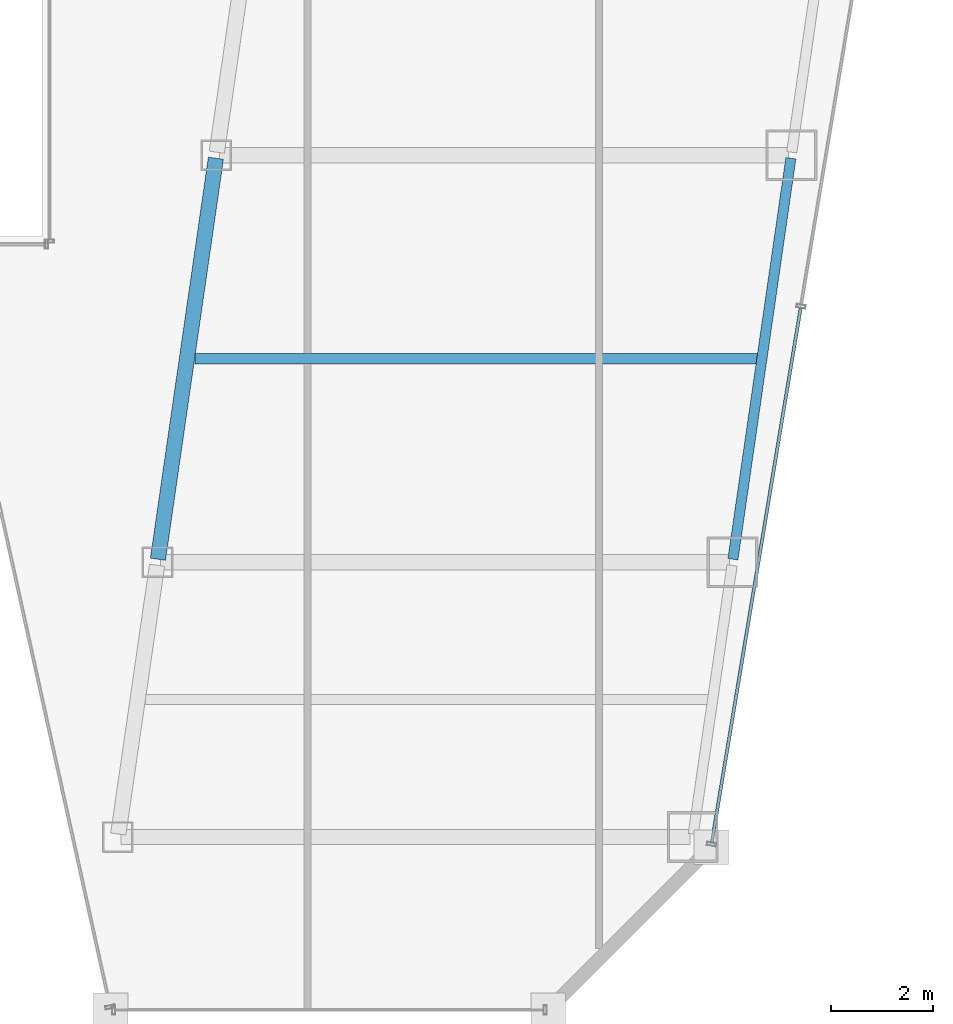
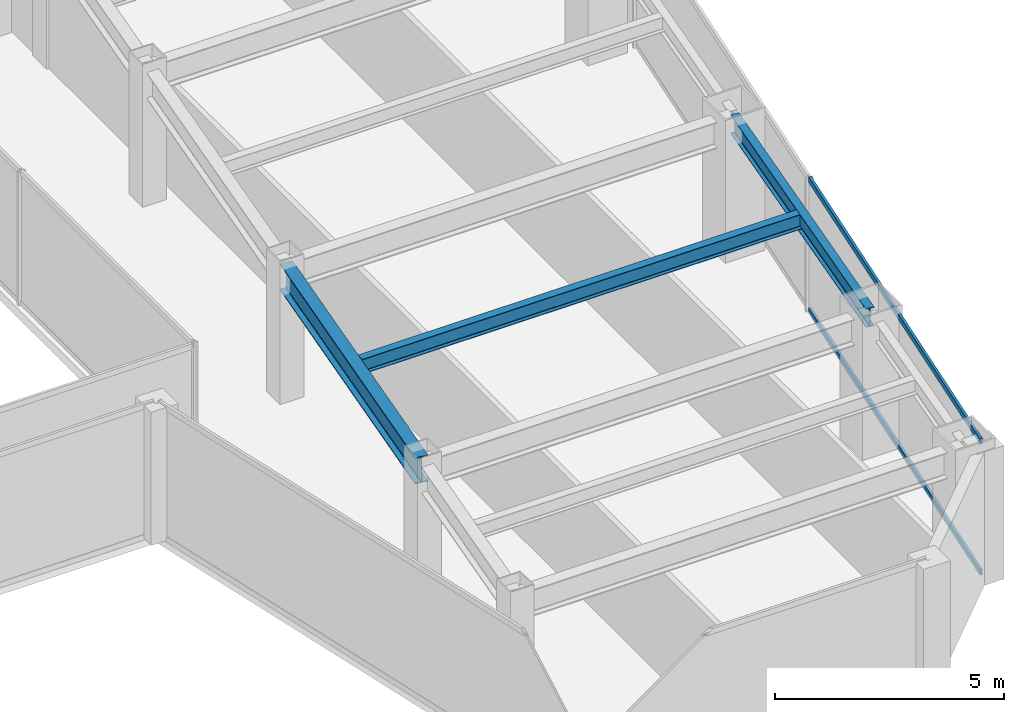
# One storey, part 16 of 38: 3 beams, 2 members, 1 element without a shape of its own.
"""IFC4 building model written with IfcOpenShell, lengths in metres."""

import ifcopenshell
import ifcopenshell.guid

model = None  # the IFC model being written
_history = None  # IfcOwnerHistory: only IFC2X3 demands one
_inside = {}  # id of a spatial element -> (the spatial element, [elements in it])
_under = {}  # id of a project, library or spatial element -> (it, [spatial elements below it])
_declared = {}  # id of a project -> (the project, [libraries it declares])
_typed = {}  # id of a type object -> (the type object, [elements of that type])
_made_of = {}  # id of a material, layer set ... -> (it, [elements and type objects made of it])


def new_model(schema):
    """Start an empty IFC model of exactly this schema.

    Asked for "IFC4X3", IfcOpenShell would pick the latest addendum, in which some entities
    have other attributes; the version numbers below select the first issue.
    IFC2X3 requires an IfcOwnerHistory on every rooted entity: one is made here for all.
    """
    global model, _history
    if schema == "IFC4X3":
        model = ifcopenshell.file(schema_version=(4, 3, 0, 0))
    else:
        model = ifcopenshell.file(schema=schema)
    _inside.clear()
    _under.clear()
    _declared.clear()
    _typed.clear()
    _made_of.clear()
    _history = None
    if model.schema == "IFC2X3":
        org = make("IfcOrganization", Name="unknown")
        user = make(
            "IfcPersonAndOrganization",
            ThePerson=make("IfcPerson", FamilyName="unknown"),
            TheOrganization=org,
        )
        app = make(
            "IfcApplication",
            ApplicationDeveloper=org,
            Version="unknown",
            ApplicationFullName="unknown",
            ApplicationIdentifier="unknown",
        )
        _history = make(
            "IfcOwnerHistory",
            OwningUser=user,
            OwningApplication=app,
            ChangeAction="ADDED",
            CreationDate=0,
        )
    return model


def make(cls, **values):
    """One entity of the class cls with the attributes given. An attribute that is None is left unset."""
    return model.create_entity(
        cls, **{name: value for name, value in values.items() if value is not None}
    )


def rooted(cls, **values):
    """An entity with a GlobalId (a new one), such as an element, a storey or a relation."""
    return make(cls, GlobalId=ifcopenshell.guid.new(), OwnerHistory=_history, **values)


def si_unit(unit_type, name, prefix=None):
    """IfcSIUnit, for example si_unit("LENGTHUNIT", "METRE", prefix="MILLI")."""
    return make("IfcSIUnit", UnitType=unit_type, Prefix=prefix, Name=name)


def assignment(units):
    """IfcUnitAssignment: the units of a project."""
    return None if units is None else make("IfcUnitAssignment", Units=units)


def point(xyz):
    """IfcCartesianPoint."""
    return None if xyz is None else make("IfcCartesianPoint", Coordinates=xyz)


def direction(xyz):
    """IfcDirection."""
    return None if xyz is None else make("IfcDirection", DirectionRatios=xyz)


def frame(location, z_axis=None, x_axis=None):
    """IfcAxis2Placement3D, a coordinate frame: its origin and axes. An axis left out is left unset."""
    return make(
        "IfcAxis2Placement3D",
        Location=point(location),
        Axis=direction(z_axis),
        RefDirection=direction(x_axis),
    )


def frame_2d(location, x_axis=None):
    """IfcAxis2Placement2D, a coordinate frame in the plane: its origin and x axis."""
    return make(
        "IfcAxis2Placement2D", Location=point(location), RefDirection=direction(x_axis)
    )


def origin():
    """The frame at (0, 0, 0) with its axes left unset."""
    return frame((0.0, 0.0, 0.0))


def origin_2d():
    """The frame at (0, 0) in the plane with its x axis left unset."""
    return frame_2d((0.0, 0.0))


def place(relative_to, where):
    """IfcLocalPlacement: puts the frame where relative to a parent placement (None: the world)."""
    return make(
        "IfcLocalPlacement", PlacementRelTo=relative_to, RelativePlacement=where
    )


def context(
    kind, dimensions, precision=None, world=None, true_north=None, identifier=None
):
    """IfcGeometricRepresentationContext, for example the 3D "Model" context."""
    return make(
        "IfcGeometricRepresentationContext",
        ContextIdentifier=identifier,
        ContextType=kind,
        CoordinateSpaceDimension=dimensions,
        Precision=precision,
        WorldCoordinateSystem=world,
        TrueNorth=true_north,
    )


def subcontext(parent, identifier, kind, view, scale=None):
    """IfcGeometricRepresentationSubContext, for example "Body" below "Model"."""
    return make(
        "IfcGeometricRepresentationSubContext",
        ContextIdentifier=identifier,
        ContextType=kind,
        ParentContext=parent,
        TargetScale=scale,
        TargetView=view,
    )


def project(units=None, contexts=None):
    """IfcProject with its units and contexts."""
    return rooted(
        "IfcProject",
        Name="project",
        RepresentationContexts=contexts,
        UnitsInContext=assignment(units),
    )


def spatial(cls, under=None, at=None, **own):
    """A site, building, storey or space (cls), placed at a placement, below another one or the project."""
    s = rooted(cls, ObjectPlacement=at, **own)
    if under is not None:
        _under.setdefault(under.id(), (under, []))[1].append(s)
    return s


def profile(cls, at=None, kind="AREA", **sizes):
    """A parametric profile (cls). Its sizes go by their IFC names, for example OverallWidth=200.0."""
    return make(cls, ProfileType=kind, Position=at, **sizes)


def hollow_rectangle(**sizes):
    """IfcRectangleHollowProfileDef."""
    return profile("IfcRectangleHollowProfileDef", **sizes)


def i_section(**sizes):
    """IfcIShapeProfileDef."""
    return profile("IfcIShapeProfileDef", **sizes)


def extrude(swept, where, along, depth):
    """IfcExtrudedAreaSolid: the profile swept, set in the frame where, extruded along a direction by depth."""
    return make(
        "IfcExtrudedAreaSolid",
        SweptArea=swept,
        Position=where,
        ExtrudedDirection=direction(along),
        Depth=depth,
    )


def shape(context_of_items, identifier, shape_type, items):
    """IfcShapeRepresentation: the items that make up one representation, for example the "Body"."""
    return make(
        "IfcShapeRepresentation",
        ContextOfItems=context_of_items,
        RepresentationIdentifier=identifier,
        RepresentationType=shape_type,
        Items=items,
    )


def material(Name=None, Category=None):
    """IfcMaterial."""
    return make("IfcMaterial", Name=Name, Category=Category)


def material_profile(
    of_material, cross_section, Name=None, Category=None, Priority=None
):
    """IfcMaterialProfile: a cross section and its material."""
    return make(
        "IfcMaterialProfile",
        Name=Name,
        Material=of_material,
        Profile=cross_section,
        Priority=Priority,
        Category=Category,
    )


def profile_set(profiles, Name=None, composite=None):
    """IfcMaterialProfileSet."""
    return make(
        "IfcMaterialProfileSet",
        Name=Name,
        MaterialProfiles=profiles,
        CompositeProfile=composite,
    )


def made_of(thing, what):
    """Note that an element or type object is made of a material, layer set ...; save() writes the relation."""
    if what is not None:
        _made_of.setdefault(what.id(), (what, []))[1].append(thing)
    return thing


def type_object(cls, material=None, **own):
    """A type object (cls), such as IfcWallType, which elements share."""
    return made_of(rooted(cls, **own), material)


def element(
    cls,
    number,
    at=None,
    inside=None,
    cuts=None,
    type_object=None,
    material=None,
    context=None,
    identifier="Body",
    shape_type=None,
    held_by="IfcProductDefinitionShape",
    body=None,
    shapes=None,
    **own,
):
    """One element of the class cls, such as IfcWall. Its Tag is "e" and its number.

    at: its placement. inside: the storey or other place that contains it. cuts: it is an
    opening in that element (IfcRelVoidsElement). A single representation is given by context,
    identifier, shape_type and body (its items); several are given by shapes. held_by: the class
    of the entity that holds the representations. save() writes the other relations.
    """
    e = rooted(cls, Tag="e%d" % number, ObjectPlacement=at, **own)
    if body is not None:
        shapes = [shape(context, identifier, shape_type, body)]
    if shapes is not None:
        e.Representation = make(held_by, Representations=shapes)
    if inside is not None:
        _inside.setdefault(inside.id(), (inside, []))[1].append(e)
    if cuts is not None:
        rooted(
            "IfcRelVoidsElement", RelatingBuildingElement=cuts, RelatedOpeningElement=e
        )
    if type_object is not None:
        _typed.setdefault(type_object.id(), (type_object, []))[1].append(e)
    return made_of(e, material)


def aggregate(whole, parts):
    """IfcRelAggregates: a whole, such as a stair, and the parts it consists of."""
    return rooted("IfcRelAggregates", RelatingObject=whole, RelatedObjects=parts)


def save(model, path):
    """Write the relations noted so far, then the file.

    IfcRelAggregates (storeys below a building ...), IfcRelContainedInSpatialStructure (elements
    in a storey), IfcRelDefinesByType, IfcRelAssociatesMaterial and IfcRelDeclares: one each for
    every whole, place, type object, material and project.
    """
    for whole, parts in _under.values():
        aggregate(whole, parts)
    for where, things in _inside.values():
        rooted(
            "IfcRelContainedInSpatialStructure",
            RelatedElements=things,
            RelatingStructure=where,
        )
    for kind, things in _typed.values():
        rooted("IfcRelDefinesByType", RelatedObjects=things, RelatingType=kind)
    for what, things in _made_of.values():
        rooted("IfcRelAssociatesMaterial", RelatedObjects=things, RelatingMaterial=what)
    for by, libraries in _declared.values():
        rooted("IfcRelDeclares", RelatingContext=by, RelatedDefinitions=libraries)
    model.write(path)


model = new_model("IFC4")

# Units and contexts
model_context = context("Model", 3, precision=1e-05, world=origin(), true_north=direction((0.0, 1.0)))
body_context = subcontext(model_context, "Body", "Model", "MODEL_VIEW")
ifc_project = project(units=[si_unit("LENGTHUNIT", "METRE"), si_unit("AREAUNIT", "SQUARE_METRE"), si_unit("VOLUMEUNIT", "CUBIC_METRE"), si_unit("PLANEANGLEUNIT", "RADIAN"), si_unit("MASSUNIT", "GRAM", prefix="KILO")], contexts=[model_context])

# Site, building, storey
site_placement = place(None, origin())
site = spatial("IfcSite", under=ifc_project, at=site_placement, CompositionType="ELEMENT")
building_placement = place(site_placement, origin())
building = spatial("IfcBuilding", under=site, at=building_placement, Name="Saevonmaru Cultural Tower", CompositionType="ELEMENT")
storey_placement = place(building_placement, frame((0.0, 0.0, 133.39990234375)))
storey = spatial("IfcBuildingStorey", under=building, at=storey_placement, Name="L28", CompositionType="ELEMENT", Elevation=133.39990234375)

# Beams
ifc_material_1 = material(Name="Steel SM355", Category="steel")
ifc_material_profile_1 = material_profile(ifc_material_1, i_section(OverallWidth=0.300048828125, OverallDepth=0.699951171875, WebThickness=0.012939453125, FlangeThickness=0.02392578125, FilletRadius=0.02587890625, at=origin_2d()), Name="H-700x300x13x24")
ifc_profile_set_1 = profile_set([ifc_material_profile_1], Name="Steel SM355")
beam_type_1 = type_object("IfcBeamType", Name="BM-G-H700", PredefinedType="BEAM", material=ifc_profile_set_1)
beam_1_placement = place(storey_placement, frame((38.08056640625, 16.059326171875, 3.2001953125), z_axis=(0.143022161059, 0.989719486241, 0.0), x_axis=(-0.989719486241, 0.143022161059, 0.0)))
element("IfcBeam", 1, at=beam_1_placement, inside=storey, type_object=beam_type_1, Name="L28 East Atrium Girder 2", PredefinedType="BEAM", context=body_context, shape_type="SweptSolid", body=[
    extrude(i_section(OverallWidth=0.300048828125, OverallDepth=0.699951171875, WebThickness=0.012939453125, FlangeThickness=0.02392578125, FilletRadius=0.02587890625, at=origin_2d()), origin(), (0.0, 0.0, 1.0), 7.963134765625),
])
ifc_material_profile_2 = material_profile(ifc_material_1, i_section(OverallWidth=0.199951171875, OverallDepth=0.39990234375, WebThickness=0.008056640625, FlangeThickness=0.012939453125, FilletRadius=0.01611328125, at=origin_2d()), Name="H-400x200x8x13")
ifc_profile_set_2 = profile_set([ifc_material_profile_2], Name="Steel SM355")
beam_type_2 = type_object("IfcBeamType", Name="BM-J-H400", PredefinedType="JOIST", material=ifc_profile_set_2)
beam_2_placement = place(storey_placement, frame((38.80810546875, 20.0, 3.35009765625), z_axis=(1.0, 0.0, 0.0), x_axis=(0.0, 1.0, 0.0)))
element("IfcBeam", 2, at=beam_2_placement, inside=storey, type_object=beam_type_2, Name="L28 East Wing Floor Joist 2", PredefinedType="JOIST", context=body_context, shape_type="SweptSolid", body=[
    extrude(i_section(OverallWidth=0.199951171875, OverallDepth=0.39990234375, WebThickness=0.008056640625, FlangeThickness=0.012939453125, FilletRadius=0.01611328125, at=origin_2d()), origin(), (0.0, 0.0, 1.0), 11.081787109375),
])
ifc_material_profile_3 = material_profile(ifc_material_1, i_section(OverallWidth=0.199951171875, OverallDepth=0.5, WebThickness=0.010009765625, FlangeThickness=0.01611328125, FilletRadius=0.02001953125, at=origin_2d()), Name="H-500x200x10x16")
ifc_profile_set_3 = profile_set([ifc_material_profile_3], Name="Steel SM355")
beam_type_3 = type_object("IfcBeamType", Name="BM-SP-H500", PredefinedType="SPANDREL", material=ifc_profile_set_3)
beam_3_placement = place(storey_placement, frame((49.380615234375, 16.059326171875, 3.300048828125), z_axis=(0.142992129437, 0.989723825579, 0.0), x_axis=(-0.989723825579, 0.142992129437, 0.0)))
element("IfcBeam", 3, at=beam_3_placement, inside=storey, type_object=beam_type_3, Name="L28 East Splayed Spandrel 2", PredefinedType="SPANDREL", context=body_context, shape_type="SweptSolid", body=[
    extrude(i_section(OverallWidth=0.199951171875, OverallDepth=0.5, WebThickness=0.010009765625, FlangeThickness=0.01611328125, FilletRadius=0.02001953125, at=origin_2d()), origin(), (0.0, 0.0, 1.0), 7.963134765625),
])

# Curtain wall, members
ifc_material_2 = material(Name="Satin Bronze Anodised Aluminium", Category="aluminium")
curtain_wall_type = type_object("IfcCurtainWallType", Name="CW-TYP-A", PredefinedType="NOTDEFINED", material=ifc_material_2)
curtain_wall_placement = place(storey_placement, origin())
curtain_wall = element("IfcCurtainWall", 4, at=curtain_wall_placement, inside=storey, type_object=curtain_wall_type, Name="L28 Unitised Curtain Wall E8", PredefinedType="NOTDEFINED")
ifc_material_profile_4 = material_profile(ifc_material_2, hollow_rectangle(XDim=0.06494140625, YDim=0.14990234375, WallThickness=0.00390625, at=origin_2d()), Name="ALU-TRAN-150x65x4")
ifc_profile_set_4 = profile_set([ifc_material_profile_4], Name="Satin Bronze Anodised Aluminium")
member_type = type_object("IfcMemberType", Name="TR-CW-150x65", PredefinedType="USERDEFINED", material=ifc_profile_set_4)
member_1_placement = place(storey_placement, frame((48.96630859375, 10.4912109375, 0.03271484375), z_axis=(0.163990079074, 0.9864619881, 0.0), x_axis=(-0.9864619881, 0.163990079074, 0.0)))
member_1 = element("IfcMember", 5, at=member_1_placement, type_object=member_type, Name="CW-TW-L28-E8 transom 1.1", ObjectType="TRANSOM", PredefinedType="USERDEFINED", context=body_context, shape_type="SweptSolid", body=[
    extrude(hollow_rectangle(XDim=0.06494140625, YDim=0.14990234375, WallThickness=0.00390625, at=origin_2d()), origin(), (0.0, 0.0, 1.0), 10.650634765625),
])
member_2_placement = place(storey_placement, frame((48.96630859375, 10.4912109375, 3.517578125), z_axis=(0.163990079074, 0.9864619881, 0.0), x_axis=(-0.9864619881, 0.163990079074, 0.0)))
member_2 = element("IfcMember", 6, at=member_2_placement, type_object=member_type, Name="CW-TW-L28-E8 transom 1.2", ObjectType="TRANSOM", PredefinedType="USERDEFINED", context=body_context, shape_type="SweptSolid", body=[
    extrude(hollow_rectangle(XDim=0.06494140625, YDim=0.14990234375, WallThickness=0.00390625, at=origin_2d()), origin(), (0.0, 0.0, 1.0), 10.650634765625),
])
aggregate(curtain_wall, [member_1, member_2])

save(model, "model.ifc")
